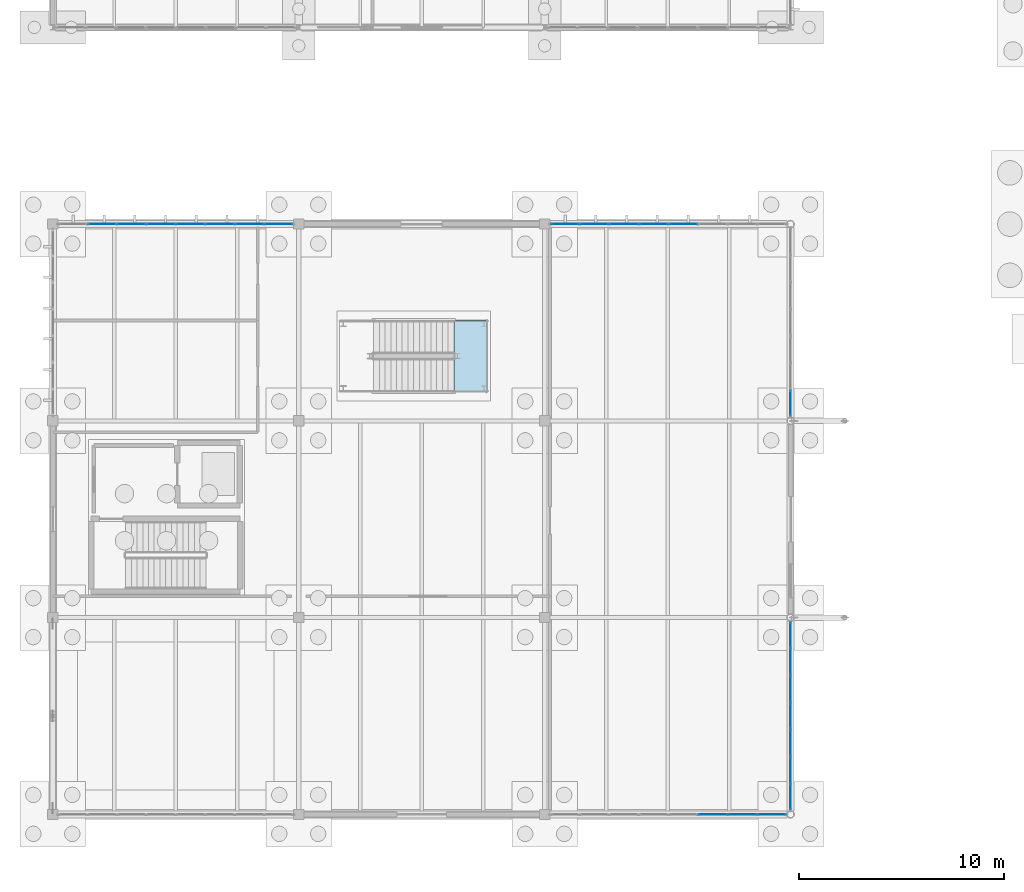
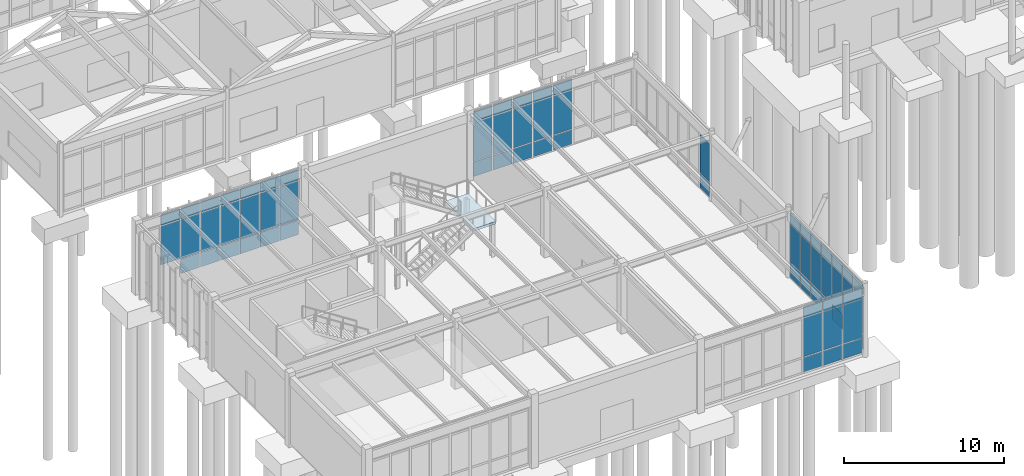
# One storey, part 129 of 188: 67 plates, 1 slab, 6 elements without a shape of their own.
"""IFC4 building model written with IfcOpenShell, lengths in metres."""

from ifc_helpers import new_model, si_unit, direction, frame, origin, origin_2d, place, context, subcontext, project, spatial, polyline, rectangle, outline, extrude, material, layer, layer_set, type_object, element, aggregate, save


model = new_model("IFC4")

# Units and contexts
model_context = context("Model", 3, precision=1e-05, world=origin(), true_north=direction((0.0, 1.0)))
body_context = subcontext(model_context, "Body", "Model", "MODEL_VIEW")
ifc_project = project(units=[si_unit("LENGTHUNIT", "METRE"), si_unit("AREAUNIT", "SQUARE_METRE"), si_unit("VOLUMEUNIT", "CUBIC_METRE"), si_unit("PLANEANGLEUNIT", "RADIAN"), si_unit("MASSUNIT", "GRAM", prefix="KILO")], contexts=[model_context])

# Site, building, storey
site_placement = place(None, origin())
site = spatial("IfcSite", under=ifc_project, at=site_placement, CompositionType="ELEMENT")
building_placement = place(site_placement, origin())
building = spatial("IfcBuilding", under=site, at=building_placement, Name="Pandanus Reach Market Hall", CompositionType="ELEMENT")
storey_placement = place(building_placement, origin())
storey = spatial("IfcBuildingStorey", under=building, at=storey_placement, Name="L00", CompositionType="ELEMENT", Elevation=0.0)

# Curtain wall, plates
ifc_material_1 = material(Name="Bronze anodised aluminium and low-E glass", Category="aluminium")
ifc_layer_1 = layer(ifc_material_1, 0.159912109375, Name="CW-10")
ifc_layer_set_1 = layer_set([ifc_layer_1], Name="Bronze anodised aluminium and low-E glass")
curtain_wall_type_1 = type_object("IfcCurtainWallType", Name="CW-10", PredefinedType="NOTDEFINED", material=ifc_layer_set_1)
curtain_wall_1_placement = place(storey_placement, origin())
curtain_wall_1 = element("IfcCurtainWall", 1, at=curtain_wall_1_placement, inside=storey, type_object=curtain_wall_type_1, Name="Glazed curtain wall CW-10 CW-0048", PredefinedType="NOTDEFINED")
ifc_material_2 = material(Name="Solar-control double glazing", Category="glass")
ifc_layer_2 = layer(ifc_material_2, 0.028076171875, Name="CW-P1")
ifc_layer_set_2 = layer_set([ifc_layer_2], Name="Solar-control double glazing")
plate_type = type_object("IfcPlateType", Name="CW-P1", PredefinedType="CURTAIN_PANEL", material=ifc_layer_set_2)
plate_1_placement = place(storey_placement, frame((32.205810546875, 0.0, 0.06494140625), z_axis=(0.0, 0.0, 1.0), x_axis=(1.0, 0.0, 0.0)))
plate_1 = element("IfcPlate", 2, at=plate_1_placement, type_object=plate_type, Name="CW-10 panel 6.1", PredefinedType="CURTAIN_PANEL", context=body_context, shape_type="SweptSolid", body=[
    extrude(rectangle(XDim=1.381591796875, YDim=0.028076171875, at=origin_2d()), origin(), (0.0, 0.0, 1.0), 1.1025390625),
])
plate_2_placement = place(storey_placement, frame((32.205810546875, 0.0, 1.232421875), z_axis=(0.0, 0.0, 1.0), x_axis=(1.0, 0.0, 0.0)))
plate_2 = element("IfcPlate", 3, at=plate_2_placement, type_object=plate_type, Name="CW-10 panel 6.2", PredefinedType="CURTAIN_PANEL", context=body_context, shape_type="SweptSolid", body=[
    extrude(rectangle(XDim=1.381591796875, YDim=0.028076171875, at=origin_2d()), origin(), (0.0, 0.0, 1.0), 2.93505859375),
])
plate_3_placement = place(storey_placement, frame((32.205810546875, 0.0, 4.232421875), z_axis=(0.0, 0.0, 1.0), x_axis=(1.0, 0.0, 0.0)))
plate_3 = element("IfcPlate", 4, at=plate_3_placement, type_object=plate_type, Name="CW-10 panel 6.3", PredefinedType="CURTAIN_PANEL", context=body_context, shape_type="SweptSolid", body=[
    extrude(rectangle(XDim=1.381591796875, YDim=0.028076171875, at=origin_2d()), origin(), (0.0, 0.0, 1.0), 0.802490234375),
])
plate_4_placement = place(storey_placement, frame((33.65234375, 0.0, 0.06494140625), z_axis=(0.0, 0.0, 1.0), x_axis=(1.0, 0.0, 0.0)))
plate_4 = element("IfcPlate", 5, at=plate_4_placement, type_object=plate_type, Name="CW-10 panel 7.1", PredefinedType="CURTAIN_PANEL", context=body_context, shape_type="SweptSolid", body=[
    extrude(rectangle(XDim=1.381591796875, YDim=0.028076171875, at=origin_2d()), origin(), (0.0, 0.0, 1.0), 1.1025390625),
])
plate_5_placement = place(storey_placement, frame((33.65234375, 0.0, 1.232421875), z_axis=(0.0, 0.0, 1.0), x_axis=(1.0, 0.0, 0.0)))
plate_5 = element("IfcPlate", 6, at=plate_5_placement, type_object=plate_type, Name="CW-10 panel 7.2", PredefinedType="CURTAIN_PANEL", context=body_context, shape_type="SweptSolid", body=[
    extrude(rectangle(XDim=1.381591796875, YDim=0.028076171875, at=origin_2d()), origin(), (0.0, 0.0, 1.0), 2.93505859375),
])
plate_6_placement = place(storey_placement, frame((33.65234375, 0.0, 4.232421875), z_axis=(0.0, 0.0, 1.0), x_axis=(1.0, 0.0, 0.0)))
plate_6 = element("IfcPlate", 7, at=plate_6_placement, type_object=plate_type, Name="CW-10 panel 7.3", PredefinedType="CURTAIN_PANEL", context=body_context, shape_type="SweptSolid", body=[
    extrude(rectangle(XDim=1.381591796875, YDim=0.028076171875, at=origin_2d()), origin(), (0.0, 0.0, 1.0), 0.802490234375),
])
plate_7_placement = place(storey_placement, frame((35.082763671875, 0.0, 0.06494140625), z_axis=(0.0, 0.0, 1.0), x_axis=(1.0, 0.0, 0.0)))
plate_7 = element("IfcPlate", 8, at=plate_7_placement, type_object=plate_type, Name="CW-10 panel 8.1", PredefinedType="CURTAIN_PANEL", context=body_context, shape_type="SweptSolid", body=[
    extrude(rectangle(XDim=1.34912109375, YDim=0.028076171875, at=origin_2d()), origin(), (0.0, 0.0, 1.0), 1.1025390625),
])
plate_8_placement = place(storey_placement, frame((35.082763671875, 0.0, 1.232421875), z_axis=(0.0, 0.0, 1.0), x_axis=(1.0, 0.0, 0.0)))
plate_8 = element("IfcPlate", 9, at=plate_8_placement, type_object=plate_type, Name="CW-10 panel 8.2", PredefinedType="CURTAIN_PANEL", context=body_context, shape_type="SweptSolid", body=[
    extrude(rectangle(XDim=1.34912109375, YDim=0.028076171875, at=origin_2d()), origin(), (0.0, 0.0, 1.0), 2.93505859375),
])
plate_9_placement = place(storey_placement, frame((35.082763671875, 0.0, 4.232421875), z_axis=(0.0, 0.0, 1.0), x_axis=(1.0, 0.0, 0.0)))
plate_9 = element("IfcPlate", 10, at=plate_9_placement, type_object=plate_type, Name="CW-10 panel 8.3", PredefinedType="CURTAIN_PANEL", context=body_context, shape_type="SweptSolid", body=[
    extrude(rectangle(XDim=1.34912109375, YDim=0.028076171875, at=origin_2d()), origin(), (0.0, 0.0, 1.0), 0.802490234375),
])
aggregate(curtain_wall_1, [plate_1, plate_2, plate_3, plate_4, plate_5, plate_6, plate_7, plate_8, plate_9])

ifc_layer_3 = layer(ifc_material_1, 0.159912109375, Name="CW-11")
ifc_layer_set_3 = layer_set([ifc_layer_3], Name="Bronze anodised aluminium and low-E glass")
curtain_wall_type_2 = type_object("IfcCurtainWallType", Name="CW-11", PredefinedType="NOTDEFINED", material=ifc_layer_set_3)
curtain_wall_2_placement = place(storey_placement, origin())
curtain_wall_2 = element("IfcCurtainWall", 11, at=curtain_wall_2_placement, inside=storey, type_object=curtain_wall_type_2, Name="Glazed curtain wall CW-11 CW-0049", PredefinedType="NOTDEFINED")
plate_10_placement = place(storey_placement, frame((2.40625, 28.800048828125, 1.232421875), z_axis=(0.0, 0.0, 1.0), x_axis=(1.0, 0.0, 0.0)))
plate_10 = element("IfcPlate", 12, at=plate_10_placement, type_object=plate_type, Name="CW-11 panel 2.2", PredefinedType="CURTAIN_PANEL", context=body_context, shape_type="SweptSolid", body=[
    extrude(rectangle(XDim=1.37255859375, YDim=0.028076171875, at=origin_2d()), origin(), (0.0, 0.0, 1.0), 2.93505859375),
])
plate_11_placement = place(storey_placement, frame((2.40625, 28.800048828125, 4.232421875), z_axis=(0.0, 0.0, 1.0), x_axis=(1.0, 0.0, 0.0)))
plate_11 = element("IfcPlate", 13, at=plate_11_placement, type_object=plate_type, Name="CW-11 panel 2.3", PredefinedType="CURTAIN_PANEL", context=body_context, shape_type="SweptSolid", body=[
    extrude(rectangle(XDim=1.37255859375, YDim=0.028076171875, at=origin_2d()), origin(), (0.0, 0.0, 1.0), 0.802490234375),
])
plate_12_placement = place(storey_placement, frame((3.84375, 28.800048828125, 0.06494140625), z_axis=(0.0, 0.0, 1.0), x_axis=(1.0, 0.0, 0.0)))
plate_12 = element("IfcPlate", 14, at=plate_12_placement, type_object=plate_type, Name="CW-11 panel 3.1", PredefinedType="CURTAIN_PANEL", context=body_context, shape_type="SweptSolid", body=[
    extrude(rectangle(XDim=1.37255859375, YDim=0.028076171875, at=origin_2d()), origin(), (0.0, 0.0, 1.0), 1.1025390625),
])
plate_13_placement = place(storey_placement, frame((3.84375, 28.800048828125, 1.232421875), z_axis=(0.0, 0.0, 1.0), x_axis=(1.0, 0.0, 0.0)))
plate_13 = element("IfcPlate", 15, at=plate_13_placement, type_object=plate_type, Name="CW-11 panel 3.2", PredefinedType="CURTAIN_PANEL", context=body_context, shape_type="SweptSolid", body=[
    extrude(rectangle(XDim=1.37255859375, YDim=0.028076171875, at=origin_2d()), origin(), (0.0, 0.0, 1.0), 2.93505859375),
])
plate_14_placement = place(storey_placement, frame((3.84375, 28.800048828125, 4.232421875), z_axis=(0.0, 0.0, 1.0), x_axis=(1.0, 0.0, 0.0)))
plate_14 = element("IfcPlate", 16, at=plate_14_placement, type_object=plate_type, Name="CW-11 panel 3.3", PredefinedType="CURTAIN_PANEL", context=body_context, shape_type="SweptSolid", body=[
    extrude(rectangle(XDim=1.37255859375, YDim=0.028076171875, at=origin_2d()), origin(), (0.0, 0.0, 1.0), 0.802490234375),
])
plate_15_placement = place(storey_placement, frame((5.28125, 28.800048828125, 0.06494140625), z_axis=(0.0, 0.0, 1.0), x_axis=(1.0, 0.0, 0.0)))
plate_15 = element("IfcPlate", 17, at=plate_15_placement, type_object=plate_type, Name="CW-11 panel 4.1", PredefinedType="CURTAIN_PANEL", context=body_context, shape_type="SweptSolid", body=[
    extrude(rectangle(XDim=1.37255859375, YDim=0.028076171875, at=origin_2d()), origin(), (0.0, 0.0, 1.0), 1.1025390625),
])
plate_16_placement = place(storey_placement, frame((5.28125, 28.800048828125, 1.232421875), z_axis=(0.0, 0.0, 1.0), x_axis=(1.0, 0.0, 0.0)))
plate_16 = element("IfcPlate", 18, at=plate_16_placement, type_object=plate_type, Name="CW-11 panel 4.2", PredefinedType="CURTAIN_PANEL", context=body_context, shape_type="SweptSolid", body=[
    extrude(rectangle(XDim=1.37255859375, YDim=0.028076171875, at=origin_2d()), origin(), (0.0, 0.0, 1.0), 2.93505859375),
])
plate_17_placement = place(storey_placement, frame((5.28125, 28.800048828125, 4.232421875), z_axis=(0.0, 0.0, 1.0), x_axis=(1.0, 0.0, 0.0)))
plate_17 = element("IfcPlate", 19, at=plate_17_placement, type_object=plate_type, Name="CW-11 panel 4.3", PredefinedType="CURTAIN_PANEL", context=body_context, shape_type="SweptSolid", body=[
    extrude(rectangle(XDim=1.37255859375, YDim=0.028076171875, at=origin_2d()), origin(), (0.0, 0.0, 1.0), 0.802490234375),
])
plate_18_placement = place(storey_placement, frame((6.71875, 28.800048828125, 0.06494140625), z_axis=(0.0, 0.0, 1.0), x_axis=(1.0, 0.0, 0.0)))
plate_18 = element("IfcPlate", 20, at=plate_18_placement, type_object=plate_type, Name="CW-11 panel 5.1", PredefinedType="CURTAIN_PANEL", context=body_context, shape_type="SweptSolid", body=[
    extrude(rectangle(XDim=1.37255859375, YDim=0.028076171875, at=origin_2d()), origin(), (0.0, 0.0, 1.0), 1.1025390625),
])
plate_19_placement = place(storey_placement, frame((6.71875, 28.800048828125, 1.232421875), z_axis=(0.0, 0.0, 1.0), x_axis=(1.0, 0.0, 0.0)))
plate_19 = element("IfcPlate", 21, at=plate_19_placement, type_object=plate_type, Name="CW-11 panel 5.2", PredefinedType="CURTAIN_PANEL", context=body_context, shape_type="SweptSolid", body=[
    extrude(rectangle(XDim=1.37255859375, YDim=0.028076171875, at=origin_2d()), origin(), (0.0, 0.0, 1.0), 2.93505859375),
])
plate_20_placement = place(storey_placement, frame((6.71875, 28.800048828125, 4.232421875), z_axis=(0.0, 0.0, 1.0), x_axis=(1.0, 0.0, 0.0)))
plate_20 = element("IfcPlate", 22, at=plate_20_placement, type_object=plate_type, Name="CW-11 panel 5.3", PredefinedType="CURTAIN_PANEL", context=body_context, shape_type="SweptSolid", body=[
    extrude(rectangle(XDim=1.37255859375, YDim=0.028076171875, at=origin_2d()), origin(), (0.0, 0.0, 1.0), 0.802490234375),
])
plate_21_placement = place(storey_placement, frame((8.15625, 28.800048828125, 0.06494140625), z_axis=(0.0, 0.0, 1.0), x_axis=(1.0, 0.0, 0.0)))
plate_21 = element("IfcPlate", 23, at=plate_21_placement, type_object=plate_type, Name="CW-11 panel 6.1", PredefinedType="CURTAIN_PANEL", context=body_context, shape_type="SweptSolid", body=[
    extrude(rectangle(XDim=1.37255859375, YDim=0.028076171875, at=origin_2d()), origin(), (0.0, 0.0, 1.0), 1.1025390625),
])
plate_22_placement = place(storey_placement, frame((8.15625, 28.800048828125, 1.232421875), z_axis=(0.0, 0.0, 1.0), x_axis=(1.0, 0.0, 0.0)))
plate_22 = element("IfcPlate", 24, at=plate_22_placement, type_object=plate_type, Name="CW-11 panel 6.2", PredefinedType="CURTAIN_PANEL", context=body_context, shape_type="SweptSolid", body=[
    extrude(rectangle(XDim=1.37255859375, YDim=0.028076171875, at=origin_2d()), origin(), (0.0, 0.0, 1.0), 2.93505859375),
])
plate_23_placement = place(storey_placement, frame((8.15625, 28.800048828125, 4.232421875), z_axis=(0.0, 0.0, 1.0), x_axis=(1.0, 0.0, 0.0)))
plate_23 = element("IfcPlate", 25, at=plate_23_placement, type_object=plate_type, Name="CW-11 panel 6.3", PredefinedType="CURTAIN_PANEL", context=body_context, shape_type="SweptSolid", body=[
    extrude(rectangle(XDim=1.37255859375, YDim=0.028076171875, at=origin_2d()), origin(), (0.0, 0.0, 1.0), 0.802490234375),
])
plate_24_placement = place(storey_placement, frame((9.59375, 28.800048828125, 0.06494140625), z_axis=(0.0, 0.0, 1.0), x_axis=(1.0, 0.0, 0.0)))
plate_24 = element("IfcPlate", 26, at=plate_24_placement, type_object=plate_type, Name="CW-11 panel 7.1", PredefinedType="CURTAIN_PANEL", context=body_context, shape_type="SweptSolid", body=[
    extrude(rectangle(XDim=1.37255859375, YDim=0.028076171875, at=origin_2d()), origin(), (0.0, 0.0, 1.0), 1.1025390625),
])
plate_25_placement = place(storey_placement, frame((9.59375, 28.800048828125, 1.232421875), z_axis=(0.0, 0.0, 1.0), x_axis=(1.0, 0.0, 0.0)))
plate_25 = element("IfcPlate", 27, at=plate_25_placement, type_object=plate_type, Name="CW-11 panel 7.2", PredefinedType="CURTAIN_PANEL", context=body_context, shape_type="SweptSolid", body=[
    extrude(rectangle(XDim=1.37255859375, YDim=0.028076171875, at=origin_2d()), origin(), (0.0, 0.0, 1.0), 2.93505859375),
])
plate_26_placement = place(storey_placement, frame((9.59375, 28.800048828125, 4.232421875), z_axis=(0.0, 0.0, 1.0), x_axis=(1.0, 0.0, 0.0)))
plate_26 = element("IfcPlate", 28, at=plate_26_placement, type_object=plate_type, Name="CW-11 panel 7.3", PredefinedType="CURTAIN_PANEL", context=body_context, shape_type="SweptSolid", body=[
    extrude(rectangle(XDim=1.37255859375, YDim=0.028076171875, at=origin_2d()), origin(), (0.0, 0.0, 1.0), 0.802490234375),
])
plate_27_placement = place(storey_placement, frame((11.014892578125, 28.800048828125, 0.06494140625), z_axis=(0.0, 0.0, 1.0), x_axis=(1.0, 0.0, 0.0)))
plate_27 = element("IfcPlate", 29, at=plate_27_placement, type_object=plate_type, Name="CW-11 panel 8.1", PredefinedType="CURTAIN_PANEL", context=body_context, shape_type="SweptSolid", body=[
    extrude(rectangle(XDim=1.340087890625, YDim=0.028076171875, at=origin_2d()), origin(), (0.0, 0.0, 1.0), 1.1025390625),
])
plate_28_placement = place(storey_placement, frame((11.014892578125, 28.800048828125, 1.232421875), z_axis=(0.0, 0.0, 1.0), x_axis=(1.0, 0.0, 0.0)))
plate_28 = element("IfcPlate", 30, at=plate_28_placement, type_object=plate_type, Name="CW-11 panel 8.2", PredefinedType="CURTAIN_PANEL", context=body_context, shape_type="SweptSolid", body=[
    extrude(rectangle(XDim=1.340087890625, YDim=0.028076171875, at=origin_2d()), origin(), (0.0, 0.0, 1.0), 2.93505859375),
])
plate_29_placement = place(storey_placement, frame((11.014892578125, 28.800048828125, 4.232421875), z_axis=(0.0, 0.0, 1.0), x_axis=(1.0, 0.0, 0.0)))
plate_29 = element("IfcPlate", 31, at=plate_29_placement, type_object=plate_type, Name="CW-11 panel 8.3", PredefinedType="CURTAIN_PANEL", context=body_context, shape_type="SweptSolid", body=[
    extrude(rectangle(XDim=1.340087890625, YDim=0.028076171875, at=origin_2d()), origin(), (0.0, 0.0, 1.0), 0.802490234375),
])
aggregate(curtain_wall_2, [plate_10, plate_11, plate_12, plate_13, plate_14, plate_15, plate_16, plate_17, plate_18, plate_19, plate_20, plate_21, plate_22, plate_23, plate_24, plate_25, plate_26, plate_27, plate_28, plate_29])

ifc_layer_4 = layer(ifc_material_1, 0.159912109375, Name="CW-12")
ifc_layer_set_4 = layer_set([ifc_layer_4], Name="Bronze anodised aluminium and low-E glass")
curtain_wall_type_3 = type_object("IfcCurtainWallType", Name="CW-12", PredefinedType="NOTDEFINED", material=ifc_layer_set_4)
curtain_wall_3_placement = place(storey_placement, origin())
curtain_wall_3 = element("IfcCurtainWall", 32, at=curtain_wall_3_placement, inside=storey, type_object=curtain_wall_type_3, Name="Glazed curtain wall CW-12 CW-0050", PredefinedType="NOTDEFINED")
plate_30_placement = place(storey_placement, frame((24.989501953125, 28.800048828125, 0.06494140625), z_axis=(0.0, 0.0, 1.0), x_axis=(1.0, 0.0, 0.0)))
plate_30 = element("IfcPlate", 33, at=plate_30_placement, type_object=plate_type, Name="CW-12 panel 1.1", PredefinedType="CURTAIN_PANEL", context=body_context, shape_type="SweptSolid", body=[
    extrude(rectangle(XDim=1.34912109375, YDim=0.028076171875, at=origin_2d()), origin(), (0.0, 0.0, 1.0), 1.1025390625),
])
plate_31_placement = place(storey_placement, frame((24.989501953125, 28.800048828125, 1.232421875), z_axis=(0.0, 0.0, 1.0), x_axis=(1.0, 0.0, 0.0)))
plate_31 = element("IfcPlate", 34, at=plate_31_placement, type_object=plate_type, Name="CW-12 panel 1.2", PredefinedType="CURTAIN_PANEL", context=body_context, shape_type="SweptSolid", body=[
    extrude(rectangle(XDim=1.34912109375, YDim=0.028076171875, at=origin_2d()), origin(), (0.0, 0.0, 1.0), 2.93505859375),
])
plate_32_placement = place(storey_placement, frame((24.989501953125, 28.800048828125, 4.232421875), z_axis=(0.0, 0.0, 1.0), x_axis=(1.0, 0.0, 0.0)))
plate_32 = element("IfcPlate", 35, at=plate_32_placement, type_object=plate_type, Name="CW-12 panel 1.3", PredefinedType="CURTAIN_PANEL", context=body_context, shape_type="SweptSolid", body=[
    extrude(rectangle(XDim=1.34912109375, YDim=0.028076171875, at=origin_2d()), origin(), (0.0, 0.0, 1.0), 0.802490234375),
])
plate_33_placement = place(storey_placement, frame((26.419677734375, 28.800048828125, 0.06494140625), z_axis=(0.0, 0.0, 1.0), x_axis=(1.0, 0.0, 0.0)))
plate_33 = element("IfcPlate", 36, at=plate_33_placement, type_object=plate_type, Name="CW-12 panel 2.1", PredefinedType="CURTAIN_PANEL", context=body_context, shape_type="SweptSolid", body=[
    extrude(rectangle(XDim=1.381591796875, YDim=0.028076171875, at=origin_2d()), origin(), (0.0, 0.0, 1.0), 1.1025390625),
])
plate_34_placement = place(storey_placement, frame((26.419677734375, 28.800048828125, 1.232421875), z_axis=(0.0, 0.0, 1.0), x_axis=(1.0, 0.0, 0.0)))
plate_34 = element("IfcPlate", 37, at=plate_34_placement, type_object=plate_type, Name="CW-12 panel 2.2", PredefinedType="CURTAIN_PANEL", context=body_context, shape_type="SweptSolid", body=[
    extrude(rectangle(XDim=1.381591796875, YDim=0.028076171875, at=origin_2d()), origin(), (0.0, 0.0, 1.0), 2.93505859375),
])
plate_35_placement = place(storey_placement, frame((26.419677734375, 28.800048828125, 4.232421875), z_axis=(0.0, 0.0, 1.0), x_axis=(1.0, 0.0, 0.0)))
plate_35 = element("IfcPlate", 38, at=plate_35_placement, type_object=plate_type, Name="CW-12 panel 2.3", PredefinedType="CURTAIN_PANEL", context=body_context, shape_type="SweptSolid", body=[
    extrude(rectangle(XDim=1.381591796875, YDim=0.028076171875, at=origin_2d()), origin(), (0.0, 0.0, 1.0), 0.802490234375),
])
plate_36_placement = place(storey_placement, frame((27.8662109375, 28.800048828125, 0.06494140625), z_axis=(0.0, 0.0, 1.0), x_axis=(1.0, 0.0, 0.0)))
plate_36 = element("IfcPlate", 39, at=plate_36_placement, type_object=plate_type, Name="CW-12 panel 3.1", PredefinedType="CURTAIN_PANEL", context=body_context, shape_type="SweptSolid", body=[
    extrude(rectangle(XDim=1.381591796875, YDim=0.028076171875, at=origin_2d()), origin(), (0.0, 0.0, 1.0), 1.1025390625),
])
plate_37_placement = place(storey_placement, frame((27.8662109375, 28.800048828125, 1.232421875), z_axis=(0.0, 0.0, 1.0), x_axis=(1.0, 0.0, 0.0)))
plate_37 = element("IfcPlate", 40, at=plate_37_placement, type_object=plate_type, Name="CW-12 panel 3.2", PredefinedType="CURTAIN_PANEL", context=body_context, shape_type="SweptSolid", body=[
    extrude(rectangle(XDim=1.381591796875, YDim=0.028076171875, at=origin_2d()), origin(), (0.0, 0.0, 1.0), 2.93505859375),
])
plate_38_placement = place(storey_placement, frame((27.8662109375, 28.800048828125, 4.232421875), z_axis=(0.0, 0.0, 1.0), x_axis=(1.0, 0.0, 0.0)))
plate_38 = element("IfcPlate", 41, at=plate_38_placement, type_object=plate_type, Name="CW-12 panel 3.3", PredefinedType="CURTAIN_PANEL", context=body_context, shape_type="SweptSolid", body=[
    extrude(rectangle(XDim=1.381591796875, YDim=0.028076171875, at=origin_2d()), origin(), (0.0, 0.0, 1.0), 0.802490234375),
])
plate_39_placement = place(storey_placement, frame((29.312744140625, 28.800048828125, 0.06494140625), z_axis=(0.0, 0.0, 1.0), x_axis=(1.0, 0.0, 0.0)))
plate_39 = element("IfcPlate", 42, at=plate_39_placement, type_object=plate_type, Name="CW-12 panel 4.1", PredefinedType="CURTAIN_PANEL", context=body_context, shape_type="SweptSolid", body=[
    extrude(rectangle(XDim=1.381591796875, YDim=0.028076171875, at=origin_2d()), origin(), (0.0, 0.0, 1.0), 1.1025390625),
])
plate_40_placement = place(storey_placement, frame((29.312744140625, 28.800048828125, 1.232421875), z_axis=(0.0, 0.0, 1.0), x_axis=(1.0, 0.0, 0.0)))
plate_40 = element("IfcPlate", 43, at=plate_40_placement, type_object=plate_type, Name="CW-12 panel 4.2", PredefinedType="CURTAIN_PANEL", context=body_context, shape_type="SweptSolid", body=[
    extrude(rectangle(XDim=1.381591796875, YDim=0.028076171875, at=origin_2d()), origin(), (0.0, 0.0, 1.0), 2.93505859375),
])
plate_41_placement = place(storey_placement, frame((29.312744140625, 28.800048828125, 4.232421875), z_axis=(0.0, 0.0, 1.0), x_axis=(1.0, 0.0, 0.0)))
plate_41 = element("IfcPlate", 44, at=plate_41_placement, type_object=plate_type, Name="CW-12 panel 4.3", PredefinedType="CURTAIN_PANEL", context=body_context, shape_type="SweptSolid", body=[
    extrude(rectangle(XDim=1.381591796875, YDim=0.028076171875, at=origin_2d()), origin(), (0.0, 0.0, 1.0), 0.802490234375),
])
plate_42_placement = place(storey_placement, frame((30.75927734375, 28.800048828125, 0.06494140625), z_axis=(0.0, 0.0, 1.0), x_axis=(1.0, 0.0, 0.0)))
plate_42 = element("IfcPlate", 45, at=plate_42_placement, type_object=plate_type, Name="CW-12 panel 5.1", PredefinedType="CURTAIN_PANEL", context=body_context, shape_type="SweptSolid", body=[
    extrude(rectangle(XDim=1.381591796875, YDim=0.028076171875, at=origin_2d()), origin(), (0.0, 0.0, 1.0), 1.1025390625),
])
plate_43_placement = place(storey_placement, frame((30.75927734375, 28.800048828125, 1.232421875), z_axis=(0.0, 0.0, 1.0), x_axis=(1.0, 0.0, 0.0)))
plate_43 = element("IfcPlate", 46, at=plate_43_placement, type_object=plate_type, Name="CW-12 panel 5.2", PredefinedType="CURTAIN_PANEL", context=body_context, shape_type="SweptSolid", body=[
    extrude(rectangle(XDim=1.381591796875, YDim=0.028076171875, at=origin_2d()), origin(), (0.0, 0.0, 1.0), 2.93505859375),
])
plate_44_placement = place(storey_placement, frame((30.75927734375, 28.800048828125, 4.232421875), z_axis=(0.0, 0.0, 1.0), x_axis=(1.0, 0.0, 0.0)))
plate_44 = element("IfcPlate", 47, at=plate_44_placement, type_object=plate_type, Name="CW-12 panel 5.3", PredefinedType="CURTAIN_PANEL", context=body_context, shape_type="SweptSolid", body=[
    extrude(rectangle(XDim=1.381591796875, YDim=0.028076171875, at=origin_2d()), origin(), (0.0, 0.0, 1.0), 0.802490234375),
])
aggregate(curtain_wall_3, [plate_30, plate_31, plate_32, plate_33, plate_34, plate_35, plate_36, plate_37, plate_38, plate_39, plate_40, plate_41, plate_42, plate_43, plate_44])

ifc_layer_5 = layer(ifc_material_1, 0.159912109375, Name="CW-14")
ifc_layer_set_5 = layer_set([ifc_layer_5], Name="Bronze anodised aluminium and low-E glass")
curtain_wall_type_4 = type_object("IfcCurtainWallType", Name="CW-14", PredefinedType="NOTDEFINED", material=ifc_layer_set_5)
curtain_wall_4_placement = place(storey_placement, origin())
curtain_wall_4 = element("IfcCurtainWall", 48, at=curtain_wall_4_placement, inside=storey, type_object=curtain_wall_type_4, Name="Glazed curtain wall CW-14 CW-0052", PredefinedType="NOTDEFINED")
plate_45_placement = place(storey_placement, frame((36.0, 0.854248046875, 0.06494140625), z_axis=(0.0, 0.0, 1.0), x_axis=(0.0, 1.0, 0.0)))
plate_45 = element("IfcPlate", 49, at=plate_45_placement, type_object=plate_type, Name="CW-14 panel 1.1", PredefinedType="CURTAIN_PANEL", context=body_context, shape_type="SweptSolid", body=[
    extrude(rectangle(XDim=1.22314453125, YDim=0.028076171875, at=origin_2d()), origin(), (0.0, 0.0, 1.0), 1.1025390625),
])
plate_46_placement = place(storey_placement, frame((36.0, 0.854248046875, 1.232421875), z_axis=(0.0, 0.0, 1.0), x_axis=(0.0, 1.0, 0.0)))
plate_46 = element("IfcPlate", 50, at=plate_46_placement, type_object=plate_type, Name="CW-14 panel 1.2", PredefinedType="CURTAIN_PANEL", context=body_context, shape_type="SweptSolid", body=[
    extrude(rectangle(XDim=1.22314453125, YDim=0.028076171875, at=origin_2d()), origin(), (0.0, 0.0, 1.0), 2.93505859375),
])
plate_47_placement = place(storey_placement, frame((36.0, 0.854248046875, 4.232421875), z_axis=(0.0, 0.0, 1.0), x_axis=(0.0, 1.0, 0.0)))
plate_47 = element("IfcPlate", 51, at=plate_47_placement, type_object=plate_type, Name="CW-14 panel 1.3", PredefinedType="CURTAIN_PANEL", context=body_context, shape_type="SweptSolid", body=[
    extrude(rectangle(XDim=1.22314453125, YDim=0.028076171875, at=origin_2d()), origin(), (0.0, 0.0, 1.0), 0.802490234375),
])
plate_48_placement = place(storey_placement, frame((36.0, 2.15869140625, 0.06494140625), z_axis=(0.0, 0.0, 1.0), x_axis=(0.0, 1.0, 0.0)))
plate_48 = element("IfcPlate", 52, at=plate_48_placement, type_object=plate_type, Name="CW-14 panel 2.1", PredefinedType="CURTAIN_PANEL", context=body_context, shape_type="SweptSolid", body=[
    extrude(rectangle(XDim=1.255615234375, YDim=0.028076171875, at=origin_2d()), origin(), (0.0, 0.0, 1.0), 1.1025390625),
])
plate_49_placement = place(storey_placement, frame((36.0, 2.15869140625, 1.232421875), z_axis=(0.0, 0.0, 1.0), x_axis=(0.0, 1.0, 0.0)))
plate_49 = element("IfcPlate", 53, at=plate_49_placement, type_object=plate_type, Name="CW-14 panel 2.2", PredefinedType="CURTAIN_PANEL", context=body_context, shape_type="SweptSolid", body=[
    extrude(rectangle(XDim=1.255615234375, YDim=0.028076171875, at=origin_2d()), origin(), (0.0, 0.0, 1.0), 2.93505859375),
])
plate_50_placement = place(storey_placement, frame((36.0, 2.15869140625, 4.232421875), z_axis=(0.0, 0.0, 1.0), x_axis=(0.0, 1.0, 0.0)))
plate_50 = element("IfcPlate", 54, at=plate_50_placement, type_object=plate_type, Name="CW-14 panel 2.3", PredefinedType="CURTAIN_PANEL", context=body_context, shape_type="SweptSolid", body=[
    extrude(rectangle(XDim=1.255615234375, YDim=0.028076171875, at=origin_2d()), origin(), (0.0, 0.0, 1.0), 0.802490234375),
])
plate_51_placement = place(storey_placement, frame((36.0, 3.4794921875, 0.06494140625), z_axis=(0.0, 0.0, 1.0), x_axis=(0.0, 1.0, 0.0)))
plate_51 = element("IfcPlate", 55, at=plate_51_placement, type_object=plate_type, Name="CW-14 panel 3.1", PredefinedType="CURTAIN_PANEL", context=body_context, shape_type="SweptSolid", body=[
    extrude(rectangle(XDim=1.255615234375, YDim=0.028076171875, at=origin_2d()), origin(), (0.0, 0.0, 1.0), 1.1025390625),
])
plate_52_placement = place(storey_placement, frame((36.0, 3.4794921875, 1.232421875), z_axis=(0.0, 0.0, 1.0), x_axis=(0.0, 1.0, 0.0)))
plate_52 = element("IfcPlate", 56, at=plate_52_placement, type_object=plate_type, Name="CW-14 panel 3.2", PredefinedType="CURTAIN_PANEL", context=body_context, shape_type="SweptSolid", body=[
    extrude(rectangle(XDim=1.255615234375, YDim=0.028076171875, at=origin_2d()), origin(), (0.0, 0.0, 1.0), 2.93505859375),
])
plate_53_placement = place(storey_placement, frame((36.0, 3.4794921875, 4.232421875), z_axis=(0.0, 0.0, 1.0), x_axis=(0.0, 1.0, 0.0)))
plate_53 = element("IfcPlate", 57, at=plate_53_placement, type_object=plate_type, Name="CW-14 panel 3.3", PredefinedType="CURTAIN_PANEL", context=body_context, shape_type="SweptSolid", body=[
    extrude(rectangle(XDim=1.255615234375, YDim=0.028076171875, at=origin_2d()), origin(), (0.0, 0.0, 1.0), 0.802490234375),
])
plate_54_placement = place(storey_placement, frame((36.0, 4.800048828125, 0.06494140625), z_axis=(0.0, 0.0, 1.0), x_axis=(0.0, 1.0, 0.0)))
plate_54 = element("IfcPlate", 58, at=plate_54_placement, type_object=plate_type, Name="CW-14 panel 4.1", PredefinedType="CURTAIN_PANEL", context=body_context, shape_type="SweptSolid", body=[
    extrude(rectangle(XDim=1.255615234375, YDim=0.028076171875, at=origin_2d()), origin(), (0.0, 0.0, 1.0), 1.1025390625),
])
plate_55_placement = place(storey_placement, frame((36.0, 4.800048828125, 1.232421875), z_axis=(0.0, 0.0, 1.0), x_axis=(0.0, 1.0, 0.0)))
plate_55 = element("IfcPlate", 59, at=plate_55_placement, type_object=plate_type, Name="CW-14 panel 4.2", PredefinedType="CURTAIN_PANEL", context=body_context, shape_type="SweptSolid", body=[
    extrude(rectangle(XDim=1.255615234375, YDim=0.028076171875, at=origin_2d()), origin(), (0.0, 0.0, 1.0), 2.93505859375),
])
plate_56_placement = place(storey_placement, frame((36.0, 4.800048828125, 4.232421875), z_axis=(0.0, 0.0, 1.0), x_axis=(0.0, 1.0, 0.0)))
plate_56 = element("IfcPlate", 60, at=plate_56_placement, type_object=plate_type, Name="CW-14 panel 4.3", PredefinedType="CURTAIN_PANEL", context=body_context, shape_type="SweptSolid", body=[
    extrude(rectangle(XDim=1.255615234375, YDim=0.028076171875, at=origin_2d()), origin(), (0.0, 0.0, 1.0), 0.802490234375),
])
plate_57_placement = place(storey_placement, frame((36.0, 6.12060546875, 0.06494140625), z_axis=(0.0, 0.0, 1.0), x_axis=(0.0, 1.0, 0.0)))
plate_57 = element("IfcPlate", 61, at=plate_57_placement, type_object=plate_type, Name="CW-14 panel 5.1", PredefinedType="CURTAIN_PANEL", context=body_context, shape_type="SweptSolid", body=[
    extrude(rectangle(XDim=1.255615234375, YDim=0.028076171875, at=origin_2d()), origin(), (0.0, 0.0, 1.0), 1.1025390625),
])
plate_58_placement = place(storey_placement, frame((36.0, 6.12060546875, 1.232421875), z_axis=(0.0, 0.0, 1.0), x_axis=(0.0, 1.0, 0.0)))
plate_58 = element("IfcPlate", 62, at=plate_58_placement, type_object=plate_type, Name="CW-14 panel 5.2", PredefinedType="CURTAIN_PANEL", context=body_context, shape_type="SweptSolid", body=[
    extrude(rectangle(XDim=1.255615234375, YDim=0.028076171875, at=origin_2d()), origin(), (0.0, 0.0, 1.0), 2.93505859375),
])
plate_59_placement = place(storey_placement, frame((36.0, 6.12060546875, 4.232421875), z_axis=(0.0, 0.0, 1.0), x_axis=(0.0, 1.0, 0.0)))
plate_59 = element("IfcPlate", 63, at=plate_59_placement, type_object=plate_type, Name="CW-14 panel 5.3", PredefinedType="CURTAIN_PANEL", context=body_context, shape_type="SweptSolid", body=[
    extrude(rectangle(XDim=1.255615234375, YDim=0.028076171875, at=origin_2d()), origin(), (0.0, 0.0, 1.0), 0.802490234375),
])
plate_60_placement = place(storey_placement, frame((36.0, 7.441162109375, 0.06494140625), z_axis=(0.0, 0.0, 1.0), x_axis=(0.0, 1.0, 0.0)))
plate_60 = element("IfcPlate", 64, at=plate_60_placement, type_object=plate_type, Name="CW-14 panel 6.1", PredefinedType="CURTAIN_PANEL", context=body_context, shape_type="SweptSolid", body=[
    extrude(rectangle(XDim=1.255615234375, YDim=0.028076171875, at=origin_2d()), origin(), (0.0, 0.0, 1.0), 1.1025390625),
])
plate_61_placement = place(storey_placement, frame((36.0, 7.441162109375, 1.232421875), z_axis=(0.0, 0.0, 1.0), x_axis=(0.0, 1.0, 0.0)))
plate_61 = element("IfcPlate", 65, at=plate_61_placement, type_object=plate_type, Name="CW-14 panel 6.2", PredefinedType="CURTAIN_PANEL", context=body_context, shape_type="SweptSolid", body=[
    extrude(rectangle(XDim=1.255615234375, YDim=0.028076171875, at=origin_2d()), origin(), (0.0, 0.0, 1.0), 2.93505859375),
])
plate_62_placement = place(storey_placement, frame((36.0, 7.441162109375, 4.232421875), z_axis=(0.0, 0.0, 1.0), x_axis=(0.0, 1.0, 0.0)))
plate_62 = element("IfcPlate", 66, at=plate_62_placement, type_object=plate_type, Name="CW-14 panel 6.3", PredefinedType="CURTAIN_PANEL", context=body_context, shape_type="SweptSolid", body=[
    extrude(rectangle(XDim=1.255615234375, YDim=0.028076171875, at=origin_2d()), origin(), (0.0, 0.0, 1.0), 0.802490234375),
])
plate_63_placement = place(storey_placement, frame((36.0, 8.74560546875, 0.06494140625), z_axis=(0.0, 0.0, 1.0), x_axis=(0.0, 1.0, 0.0)))
plate_63 = element("IfcPlate", 67, at=plate_63_placement, type_object=plate_type, Name="CW-14 panel 7.1", PredefinedType="CURTAIN_PANEL", context=body_context, shape_type="SweptSolid", body=[
    extrude(rectangle(XDim=1.22314453125, YDim=0.028076171875, at=origin_2d()), origin(), (0.0, 0.0, 1.0), 1.1025390625),
])
plate_64_placement = place(storey_placement, frame((36.0, 8.74560546875, 1.232421875), z_axis=(0.0, 0.0, 1.0), x_axis=(0.0, 1.0, 0.0)))
plate_64 = element("IfcPlate", 68, at=plate_64_placement, type_object=plate_type, Name="CW-14 panel 7.2", PredefinedType="CURTAIN_PANEL", context=body_context, shape_type="SweptSolid", body=[
    extrude(rectangle(XDim=1.22314453125, YDim=0.028076171875, at=origin_2d()), origin(), (0.0, 0.0, 1.0), 2.93505859375),
])
plate_65_placement = place(storey_placement, frame((36.0, 8.74560546875, 4.232421875), z_axis=(0.0, 0.0, 1.0), x_axis=(0.0, 1.0, 0.0)))
plate_65 = element("IfcPlate", 69, at=plate_65_placement, type_object=plate_type, Name="CW-14 panel 7.3", PredefinedType="CURTAIN_PANEL", context=body_context, shape_type="SweptSolid", body=[
    extrude(rectangle(XDim=1.22314453125, YDim=0.028076171875, at=origin_2d()), origin(), (0.0, 0.0, 1.0), 0.802490234375),
])
aggregate(curtain_wall_4, [plate_45, plate_46, plate_47, plate_48, plate_49, plate_50, plate_51, plate_52, plate_53, plate_54, plate_55, plate_56, plate_57, plate_58, plate_59, plate_60, plate_61, plate_62, plate_63, plate_64, plate_65])

curtain_wall_5_placement = place(storey_placement, origin())
curtain_wall_5 = element("IfcCurtainWall", 70, at=curtain_wall_5_placement, inside=storey, type_object=curtain_wall_type_4, Name="Glazed curtain wall CW-14 CW-0053", PredefinedType="NOTDEFINED")
plate_66_placement = place(storey_placement, frame((36.0, 20.054443359375, 0.06494140625), z_axis=(0.0, 0.0, 1.0), x_axis=(0.0, 1.0, 0.0)))
plate_66 = element("IfcPlate", 71, at=plate_66_placement, type_object=plate_type, Name="CW-14 panel 1.1", PredefinedType="CURTAIN_PANEL", context=body_context, shape_type="SweptSolid", body=[
    extrude(rectangle(XDim=1.22314453125, YDim=0.028076171875, at=origin_2d()), origin(), (0.0, 0.0, 1.0), 1.1025390625),
])
plate_67_placement = place(storey_placement, frame((36.0, 20.054443359375, 1.232421875), z_axis=(0.0, 0.0, 1.0), x_axis=(0.0, 1.0, 0.0)))
plate_67 = element("IfcPlate", 72, at=plate_67_placement, type_object=plate_type, Name="CW-14 panel 1.2", PredefinedType="CURTAIN_PANEL", context=body_context, shape_type="SweptSolid", body=[
    extrude(rectangle(XDim=1.22314453125, YDim=0.028076171875, at=origin_2d()), origin(), (0.0, 0.0, 1.0), 2.93505859375),
])
aggregate(curtain_wall_5, [plate_66, plate_67])

# Stair, slab
ifc_material_3 = material(Name="Concrete N40 (40 MPa)", Category="concrete")
stair_type = type_object("IfcStairType", Name="STR-08", PredefinedType="HALF_TURN_STAIR", material=ifc_material_3)
stair_placement = place(storey_placement, origin())
stair = element("IfcStair", 73, at=stair_placement, inside=storey, type_object=stair_type, Name="Stair ST-10 L00", PredefinedType="HALF_TURN_STAIR")
ifc_layer_6 = layer(ifc_material_3, 0.199951171875, Name="SL-LND-200")
ifc_layer_set_6 = layer_set([ifc_layer_6], Name="Concrete N40 (40 MPa)")
slab_type = type_object("IfcSlabType", Name="SL-LND-200", PredefinedType="LANDING", material=ifc_layer_set_6)
slab_placement = place(storey_placement, frame((0.0, 0.0, 2.5)))
slab = element("IfcSlab", 74, at=slab_placement, type_object=slab_type, Name="STR-08 landing 1", PredefinedType="LANDING", context=body_context, shape_type="SweptSolid", body=[
    extrude(outline(polyline([(19.570068359375, 20.60009765625), (21.219970703125, 20.60009765625), (21.219970703125, 24.1201171875), (19.570068359375, 24.1201171875), (19.570068359375, 20.60009765625)])), origin(), (0.0, 0.0, 1.0), 0.199951171875),
])
aggregate(stair, [slab])

save(model, "model.ifc")
